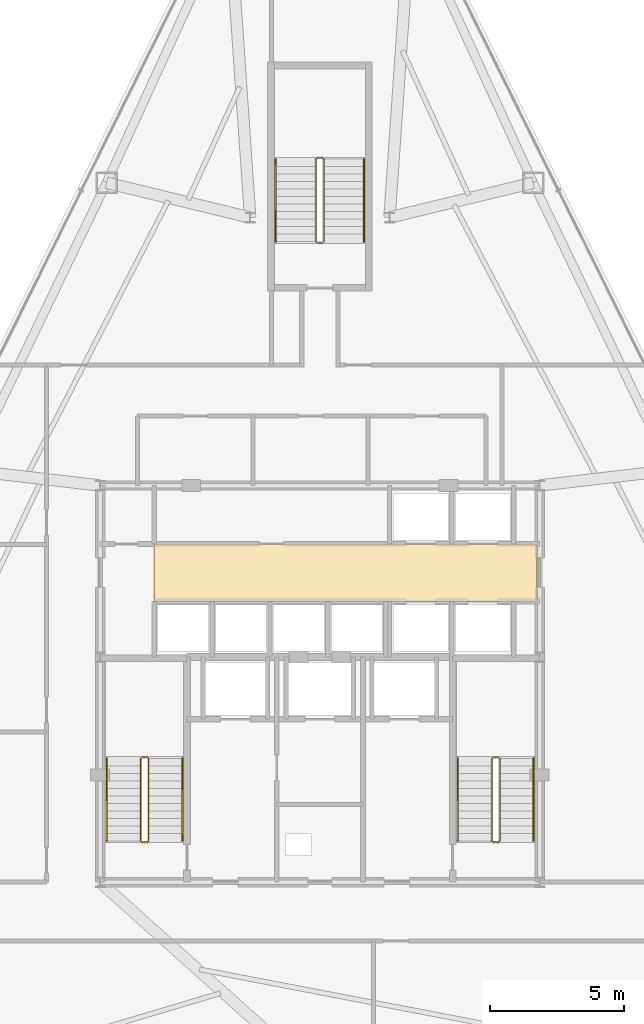
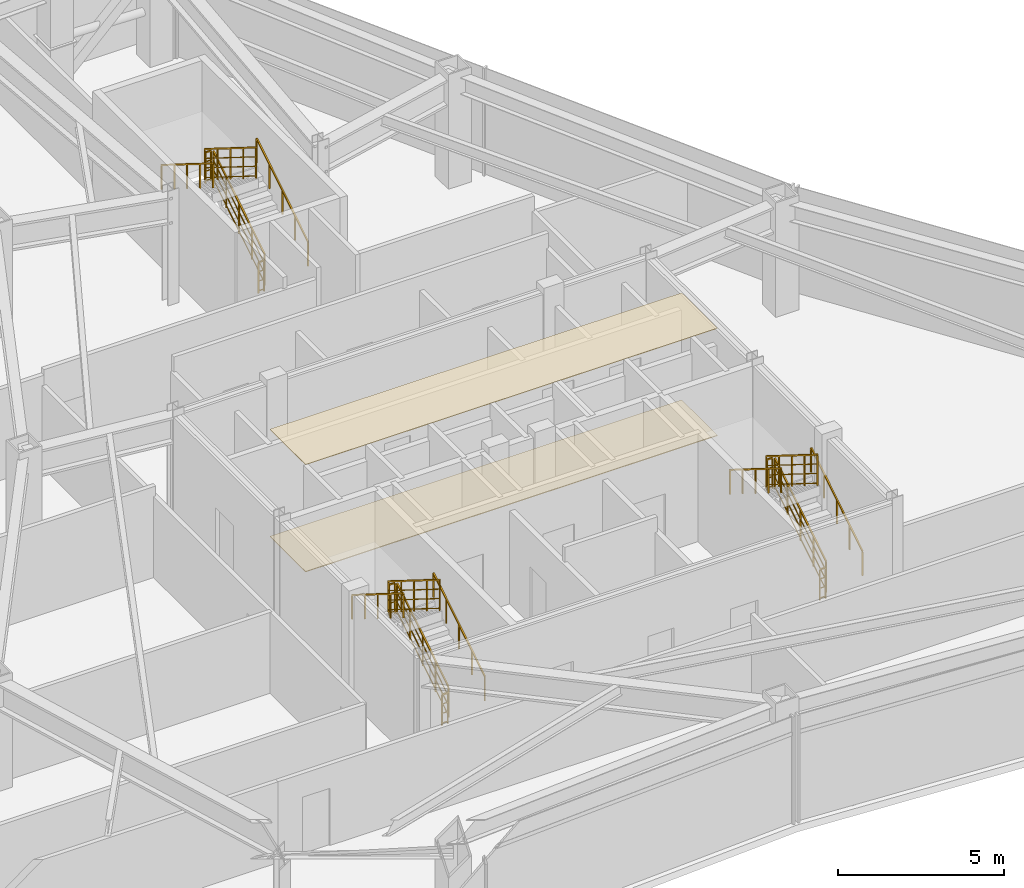
# One storey, part 13 of 13: 18 railings, 2 coverings.
"""IFC4 building model written with IfcOpenShell, lengths in metres."""

import ifcopenshell
import ifcopenshell.guid

model = None  # the IFC model being written
_history = None  # IfcOwnerHistory: only IFC2X3 demands one
_inside = {}  # id of a spatial element -> (the spatial element, [elements in it])
_under = {}  # id of a project, library or spatial element -> (it, [spatial elements below it])
_declared = {}  # id of a project -> (the project, [libraries it declares])
_typed = {}  # id of a type object -> (the type object, [elements of that type])
_made_of = {}  # id of a material, layer set ... -> (it, [elements and type objects made of it])


def new_model(schema):
    """Start an empty IFC model of exactly this schema.

    Asked for "IFC4X3", IfcOpenShell would pick the latest addendum, in which some entities
    have other attributes; the version numbers below select the first issue.
    IFC2X3 requires an IfcOwnerHistory on every rooted entity: one is made here for all.
    """
    global model, _history
    if schema == "IFC4X3":
        model = ifcopenshell.file(schema_version=(4, 3, 0, 0))
    else:
        model = ifcopenshell.file(schema=schema)
    _inside.clear()
    _under.clear()
    _declared.clear()
    _typed.clear()
    _made_of.clear()
    _history = None
    if model.schema == "IFC2X3":
        org = make("IfcOrganization", Name="unknown")
        user = make(
            "IfcPersonAndOrganization",
            ThePerson=make("IfcPerson", FamilyName="unknown"),
            TheOrganization=org,
        )
        app = make(
            "IfcApplication",
            ApplicationDeveloper=org,
            Version="unknown",
            ApplicationFullName="unknown",
            ApplicationIdentifier="unknown",
        )
        _history = make(
            "IfcOwnerHistory",
            OwningUser=user,
            OwningApplication=app,
            ChangeAction="ADDED",
            CreationDate=0,
        )
    return model


def make(cls, **values):
    """One entity of the class cls with the attributes given. An attribute that is None is left unset."""
    return model.create_entity(
        cls, **{name: value for name, value in values.items() if value is not None}
    )


def rooted(cls, **values):
    """An entity with a GlobalId (a new one), such as an element, a storey or a relation."""
    return make(cls, GlobalId=ifcopenshell.guid.new(), OwnerHistory=_history, **values)


def si_unit(unit_type, name, prefix=None):
    """IfcSIUnit, for example si_unit("LENGTHUNIT", "METRE", prefix="MILLI")."""
    return make("IfcSIUnit", UnitType=unit_type, Prefix=prefix, Name=name)


def assignment(units):
    """IfcUnitAssignment: the units of a project."""
    return None if units is None else make("IfcUnitAssignment", Units=units)


def point(xyz):
    """IfcCartesianPoint."""
    return None if xyz is None else make("IfcCartesianPoint", Coordinates=xyz)


def direction(xyz):
    """IfcDirection."""
    return None if xyz is None else make("IfcDirection", DirectionRatios=xyz)


def frame(location, z_axis=None, x_axis=None):
    """IfcAxis2Placement3D, a coordinate frame: its origin and axes. An axis left out is left unset."""
    return make(
        "IfcAxis2Placement3D",
        Location=point(location),
        Axis=direction(z_axis),
        RefDirection=direction(x_axis),
    )


def frame_2d(location, x_axis=None):
    """IfcAxis2Placement2D, a coordinate frame in the plane: its origin and x axis."""
    return make(
        "IfcAxis2Placement2D", Location=point(location), RefDirection=direction(x_axis)
    )


def origin():
    """The frame at (0, 0, 0) with its axes left unset."""
    return frame((0.0, 0.0, 0.0))


def origin_2d():
    """The frame at (0, 0) in the plane with its x axis left unset."""
    return frame_2d((0.0, 0.0))


def place(relative_to, where):
    """IfcLocalPlacement: puts the frame where relative to a parent placement (None: the world)."""
    return make(
        "IfcLocalPlacement", PlacementRelTo=relative_to, RelativePlacement=where
    )


def context(
    kind, dimensions, precision=None, world=None, true_north=None, identifier=None
):
    """IfcGeometricRepresentationContext, for example the 3D "Model" context."""
    return make(
        "IfcGeometricRepresentationContext",
        ContextIdentifier=identifier,
        ContextType=kind,
        CoordinateSpaceDimension=dimensions,
        Precision=precision,
        WorldCoordinateSystem=world,
        TrueNorth=true_north,
    )


def subcontext(parent, identifier, kind, view, scale=None):
    """IfcGeometricRepresentationSubContext, for example "Body" below "Model"."""
    return make(
        "IfcGeometricRepresentationSubContext",
        ContextIdentifier=identifier,
        ContextType=kind,
        ParentContext=parent,
        TargetScale=scale,
        TargetView=view,
    )


def project(units=None, contexts=None):
    """IfcProject with its units and contexts."""
    return rooted(
        "IfcProject",
        Name="project",
        RepresentationContexts=contexts,
        UnitsInContext=assignment(units),
    )


def spatial(cls, under=None, at=None, **own):
    """A site, building, storey or space (cls), placed at a placement, below another one or the project."""
    s = rooted(cls, ObjectPlacement=at, **own)
    if under is not None:
        _under.setdefault(under.id(), (under, []))[1].append(s)
    return s


def polyline(points):
    """IfcPolyline through the points."""
    return make("IfcPolyline", Points=[point(p) for p in points])


def profile(cls, at=None, kind="AREA", **sizes):
    """A parametric profile (cls). Its sizes go by their IFC names, for example OverallWidth=200.0."""
    return make(cls, ProfileType=kind, Position=at, **sizes)


def rectangle(**sizes):
    """IfcRectangleProfileDef."""
    return profile("IfcRectangleProfileDef", **sizes)


def outline(outer, holes=None, kind="AREA"):
    """IfcArbitraryClosedProfileDef: a profile drawn as a closed curve; with holes, ...WithVoids."""
    if holes is None:
        return make("IfcArbitraryClosedProfileDef", ProfileType=kind, OuterCurve=outer)
    return make(
        "IfcArbitraryProfileDefWithVoids",
        ProfileType=kind,
        OuterCurve=outer,
        InnerCurves=holes,
    )


def extrude(swept, where, along, depth):
    """IfcExtrudedAreaSolid: the profile swept, set in the frame where, extruded along a direction by depth."""
    return make(
        "IfcExtrudedAreaSolid",
        SweptArea=swept,
        Position=where,
        ExtrudedDirection=direction(along),
        Depth=depth,
    )


def shape(context_of_items, identifier, shape_type, items):
    """IfcShapeRepresentation: the items that make up one representation, for example the "Body"."""
    return make(
        "IfcShapeRepresentation",
        ContextOfItems=context_of_items,
        RepresentationIdentifier=identifier,
        RepresentationType=shape_type,
        Items=items,
    )


def material(Name=None, Category=None):
    """IfcMaterial."""
    return make("IfcMaterial", Name=Name, Category=Category)


def layer(
    of_material, thickness, ventilated=None, Name=None, Category=None, Priority=None
):
    """IfcMaterialLayer: one layer of a wall or slab, of a material (None: an air gap)."""
    return make(
        "IfcMaterialLayer",
        Material=of_material,
        LayerThickness=thickness,
        IsVentilated=ventilated,
        Name=Name,
        Category=Category,
        Priority=Priority,
    )


def layer_set(layers, Name=None):
    """IfcMaterialLayerSet."""
    return make("IfcMaterialLayerSet", MaterialLayers=layers, LayerSetName=Name)


def made_of(thing, what):
    """Note that an element or type object is made of a material, layer set ...; save() writes the relation."""
    if what is not None:
        _made_of.setdefault(what.id(), (what, []))[1].append(thing)
    return thing


def type_object(cls, material=None, **own):
    """A type object (cls), such as IfcWallType, which elements share."""
    return made_of(rooted(cls, **own), material)


def element(
    cls,
    number,
    at=None,
    inside=None,
    cuts=None,
    type_object=None,
    material=None,
    context=None,
    identifier="Body",
    shape_type=None,
    held_by="IfcProductDefinitionShape",
    body=None,
    shapes=None,
    **own,
):
    """One element of the class cls, such as IfcWall. Its Tag is "e" and its number.

    at: its placement. inside: the storey or other place that contains it. cuts: it is an
    opening in that element (IfcRelVoidsElement). A single representation is given by context,
    identifier, shape_type and body (its items); several are given by shapes. held_by: the class
    of the entity that holds the representations. save() writes the other relations.
    """
    e = rooted(cls, Tag="e%d" % number, ObjectPlacement=at, **own)
    if body is not None:
        shapes = [shape(context, identifier, shape_type, body)]
    if shapes is not None:
        e.Representation = make(held_by, Representations=shapes)
    if inside is not None:
        _inside.setdefault(inside.id(), (inside, []))[1].append(e)
    if cuts is not None:
        rooted(
            "IfcRelVoidsElement", RelatingBuildingElement=cuts, RelatedOpeningElement=e
        )
    if type_object is not None:
        _typed.setdefault(type_object.id(), (type_object, []))[1].append(e)
    return made_of(e, material)


def aggregate(whole, parts):
    """IfcRelAggregates: a whole, such as a stair, and the parts it consists of."""
    return rooted("IfcRelAggregates", RelatingObject=whole, RelatedObjects=parts)


def save(model, path):
    """Write the relations noted so far, then the file.

    IfcRelAggregates (storeys below a building ...), IfcRelContainedInSpatialStructure (elements
    in a storey), IfcRelDefinesByType, IfcRelAssociatesMaterial and IfcRelDeclares: one each for
    every whole, place, type object, material and project.
    """
    for whole, parts in _under.values():
        aggregate(whole, parts)
    for where, things in _inside.values():
        rooted(
            "IfcRelContainedInSpatialStructure",
            RelatedElements=things,
            RelatingStructure=where,
        )
    for kind, things in _typed.values():
        rooted("IfcRelDefinesByType", RelatedObjects=things, RelatingType=kind)
    for what, things in _made_of.values():
        rooted("IfcRelAssociatesMaterial", RelatedObjects=things, RelatingMaterial=what)
    for by, libraries in _declared.values():
        rooted("IfcRelDeclares", RelatingContext=by, RelatedDefinitions=libraries)
    model.write(path)


model = new_model("IFC4")

# Units and contexts
model_context = context("Model", 3, precision=1e-05, world=origin(), true_north=direction((0.0, 1.0)))
body_context = subcontext(model_context, "Body", "Model", "MODEL_VIEW")
ifc_project = project(units=[si_unit("LENGTHUNIT", "METRE"), si_unit("AREAUNIT", "SQUARE_METRE"), si_unit("VOLUMEUNIT", "CUBIC_METRE"), si_unit("PLANEANGLEUNIT", "RADIAN"), si_unit("MASSUNIT", "GRAM", prefix="KILO")], contexts=[model_context])

# Site, building, storey
site_placement = place(None, origin())
site = spatial("IfcSite", under=ifc_project, at=site_placement, CompositionType="ELEMENT")
building_placement = place(site_placement, origin())
building = spatial("IfcBuilding", under=site, at=building_placement, Name="Varakhsha Concourse Tower", CompositionType="ELEMENT")
storey_placement = place(building_placement, frame((0.0, 0.0, 200.699951171875)))
storey = spatial("IfcBuildingStorey", under=building, at=storey_placement, Name="L57", CompositionType="ELEMENT", Elevation=200.699951171875)

# Coverings
ifc_material_1 = material(Name="Mineral Fibre Acoustic Lay-In Ceiling Tile 20 mm", Category="mineral")
ifc_layer_1 = layer(ifc_material_1, 0.02001953125, Name="COV-CEIL-20")
ifc_layer_set_1 = layer_set([ifc_layer_1], Name="Mineral Fibre Acoustic Lay-In Ceiling Tile 20 mm")
covering_type_1 = type_object("IfcCoveringType", Name="COV-CEIL-20", PredefinedType="CEILING", material=ifc_layer_set_1)
covering_1_placement = place(storey_placement, frame((0.0, 0.0, 3.929931640625)))
element("IfcCovering", 1, at=covering_1_placement, inside=storey, type_object=covering_type_1, Name="L57 Lift Lobby Acoustic Ceiling", PredefinedType="CEILING", context=body_context, shape_type="SweptSolid", body=[
    extrude(outline(polyline([(33.820068359375, 26.8798828125), (48.10009765625, 26.8798828125), (48.10009765625, 29.02001953125), (33.820068359375, 29.02001953125), (33.820068359375, 26.8798828125)])), origin(), (0.0, 0.0, 1.0), 0.02001953125),
])
ifc_material_2 = material(Name="Polished Samarkand Aggregate Terrazzo Flooring 25 mm", Category="concrete")
ifc_layer_2 = layer(ifc_material_2, 0.02490234375, Name="COV-FLOOR-25")
ifc_layer_set_2 = layer_set([ifc_layer_2], Name="Polished Samarkand Aggregate Terrazzo Flooring 25 mm")
covering_type_2 = type_object("IfcCoveringType", Name="COV-FLOOR-25", PredefinedType="FLOORING", material=ifc_layer_set_2)
covering_2_placement = place(storey_placement, origin())
element("IfcCovering", 2, at=covering_2_placement, inside=storey, type_object=covering_type_2, Name="L57 Lift Lobby Terrazzo Flooring", PredefinedType="FLOORING", context=body_context, shape_type="SweptSolid", body=[
    extrude(outline(polyline([(33.820068359375, 26.8798828125), (48.10009765625, 26.8798828125), (48.10009765625, 29.02001953125), (33.820068359375, 29.02001953125), (33.820068359375, 26.8798828125)])), origin(), (0.0, 0.0, 1.0), 0.025146484375),
])

# Railings
ifc_material_3 = material(Name="Brushed Austenitic Stainless Steel AISI 316", Category="steel")
railing_type_1 = type_object("IfcRailingType", Name="RL-STAIR-GUARD-1100", PredefinedType="GUARDRAIL", material=ifc_material_3)
railing_1_placement = place(storey_placement, frame((33.610107421875, 17.93994140625, 0.175048828125)))
element("IfcRailing", 3, at=railing_1_placement, inside=storey, type_object=railing_type_1, Name="L57 ST1 stair guard 1", PredefinedType="GUARDRAIL", context=body_context, shape_type="SweptSolid", body=[
    extrude(rectangle(XDim=0.048095703125, YDim=0.048095703125, at=origin_2d()), frame((0.0, 0.0, 1.1259765625), z_axis=(0.0, 0.847998304005, 0.529998940003), x_axis=(-1.0, 0.0, 0.0)), (0.0, 0.0, 1.0), 3.632080078125),
    extrude(rectangle(XDim=0.028076171875, YDim=0.028076171875, at=origin_2d()), frame((0.0, 0.0, 0.080078125), z_axis=(0.0, 0.847998304005, 0.529998940003), x_axis=(-1.0, 0.0, 0.0)), (0.0, 0.0, 1.0), 3.632080078125),
    extrude(rectangle(XDim=0.028076171875, YDim=0.028076171875, at=origin_2d()), frame((0.0, 0.0, 0.43701171875), z_axis=(0.0, 0.847998304005, 0.529998940003), x_axis=(-1.0, 0.0, 0.0)), (0.0, 0.0, 1.0), 3.632080078125),
    extrude(rectangle(XDim=0.028076171875, YDim=0.028076171875, at=origin_2d()), frame((0.0, 0.0, 0.781982421875), z_axis=(0.0, 0.847998304005, 0.529998940003), x_axis=(-1.0, 0.0, 0.0)), (0.0, 0.0, 1.0), 3.632080078125),
    extrude(rectangle(XDim=0.0419921875, YDim=0.0419921875, at=origin_2d()), origin(), (0.0, 0.0, 1.0), 1.101806640625),
    extrude(rectangle(XDim=0.0419921875, YDim=0.0419921875, at=origin_2d()), frame((0.0, 0.77001953125, 0.481201171875)), (0.0, 0.0, 1.0), 1.101806640625),
    extrude(rectangle(XDim=0.0419921875, YDim=0.0419921875, at=origin_2d()), frame((0.0, 1.5400390625, 0.96240234375)), (0.0, 0.0, 1.0), 1.101806640625),
    extrude(rectangle(XDim=0.0419921875, YDim=0.0419921875, at=origin_2d()), frame((0.0, 2.31005859375, 1.44384765625)), (0.0, 0.0, 1.0), 1.101806640625),
    extrude(rectangle(XDim=0.0419921875, YDim=0.0419921875, at=origin_2d()), frame((0.0, 3.080078125, 1.925048828125)), (0.0, 0.0, 1.0), 1.101806640625),
])
railing_2_placement = place(storey_placement, frame((33.56005859375, 21.070068359375, 2.10009765625)))
element("IfcRailing", 4, at=railing_2_placement, inside=storey, type_object=railing_type_1, Name="L57 ST1 stair guard 2", PredefinedType="GUARDRAIL", context=body_context, shape_type="SweptSolid", body=[
    extrude(rectangle(XDim=0.048095703125, YDim=0.048095703125, at=origin_2d()), frame((0.0, 0.0, 1.1259765625), z_axis=(-1.0, 0.0, 0.0), x_axis=(0.0, -1.0, 0.0)), (0.0, 0.0, 1.0), 0.199951171875),
    extrude(rectangle(XDim=0.028076171875, YDim=0.028076171875, at=origin_2d()), frame((0.0, 0.0, 0.080078125), z_axis=(-1.0, 0.0, 0.0), x_axis=(0.0, -1.0, 0.0)), (0.0, 0.0, 1.0), 0.199951171875),
    extrude(rectangle(XDim=0.028076171875, YDim=0.028076171875, at=origin_2d()), frame((0.0, 0.0, 0.43701171875), z_axis=(-1.0, 0.0, 0.0), x_axis=(0.0, -1.0, 0.0)), (0.0, 0.0, 1.0), 0.199951171875),
    extrude(rectangle(XDim=0.028076171875, YDim=0.028076171875, at=origin_2d()), frame((0.0, 0.0, 0.781982421875), z_axis=(-1.0, 0.0, 0.0), x_axis=(0.0, -1.0, 0.0)), (0.0, 0.0, 1.0), 0.199951171875),
    extrude(rectangle(XDim=0.0419921875, YDim=0.0419921875, at=origin_2d()), origin(), (0.0, 0.0, 1.0), 1.101806640625),
    extrude(rectangle(XDim=0.0419921875, YDim=0.0419921875, at=origin_2d()), frame((-0.199951171875, 0.0, 0.0)), (0.0, 0.0, 1.0), 1.101806640625),
])
railing_3_placement = place(storey_placement, frame((33.31005859375, 21.02001953125, 2.275146484375)))
element("IfcRailing", 5, at=railing_3_placement, inside=storey, type_object=railing_type_1, Name="L57 ST1 stair guard 3", PredefinedType="GUARDRAIL", context=body_context, shape_type="SweptSolid", body=[
    extrude(rectangle(XDim=0.048095703125, YDim=0.048095703125, at=origin_2d()), frame((0.0, 0.0, 1.1259765625), z_axis=(0.0, -0.848028513186, 0.529950602248), x_axis=(1.0, 0.0, 0.0)), (0.0, 0.0, 1.0), 3.632080078125),
    extrude(rectangle(XDim=0.028076171875, YDim=0.028076171875, at=origin_2d()), frame((0.0, 0.0, 0.080078125), z_axis=(0.0, -0.848028513186, 0.529950602248), x_axis=(1.0, 0.0, 0.0)), (0.0, 0.0, 1.0), 3.632080078125),
    extrude(rectangle(XDim=0.028076171875, YDim=0.028076171875, at=origin_2d()), frame((0.0, 0.0, 0.43701171875), z_axis=(0.0, -0.848028513186, 0.529950602248), x_axis=(1.0, 0.0, 0.0)), (0.0, 0.0, 1.0), 3.632080078125),
    extrude(rectangle(XDim=0.028076171875, YDim=0.028076171875, at=origin_2d()), frame((0.0, 0.0, 0.781982421875), z_axis=(0.0, -0.848028513186, 0.529950602248), x_axis=(1.0, 0.0, 0.0)), (0.0, 0.0, 1.0), 3.632080078125),
    extrude(rectangle(XDim=0.0419921875, YDim=0.0419921875, at=origin_2d()), origin(), (0.0, 0.0, 1.0), 1.101806640625),
    extrude(rectangle(XDim=0.0419921875, YDim=0.0419921875, at=origin_2d()), frame((0.0, -0.77001953125, 0.481201171875)), (0.0, 0.0, 1.0), 1.101806640625),
    extrude(rectangle(XDim=0.0419921875, YDim=0.0419921875, at=origin_2d()), frame((0.0, -1.5400390625, 0.96240234375)), (0.0, 0.0, 1.0), 1.101806640625),
    extrude(rectangle(XDim=0.0419921875, YDim=0.0419921875, at=origin_2d()), frame((0.0, -2.31005859375, 1.443603515625)), (0.0, 0.0, 1.0), 1.101806640625),
    extrude(rectangle(XDim=0.0419921875, YDim=0.0419921875, at=origin_2d()), frame((0.0, -3.080078125, 1.9248046875)), (0.0, 0.0, 1.0), 1.101806640625),
])
railing_4_placement = place(storey_placement, frame((33.56005859375, 17.889892578125, 0.0)))
element("IfcRailing", 6, at=railing_4_placement, inside=storey, type_object=railing_type_1, Name="L57 ST1 stair guard 4", PredefinedType="GUARDRAIL", context=body_context, shape_type="SweptSolid", body=[
    extrude(rectangle(XDim=0.048095703125, YDim=0.048095703125, at=origin_2d()), frame((0.0, 0.0, 1.1259765625), z_axis=(-1.0, 0.0, 0.0), x_axis=(0.0, -1.0, 0.0)), (0.0, 0.0, 1.0), 0.199951171875),
    extrude(rectangle(XDim=0.028076171875, YDim=0.028076171875, at=origin_2d()), frame((0.0, 0.0, 0.080078125), z_axis=(-1.0, 0.0, 0.0), x_axis=(0.0, -1.0, 0.0)), (0.0, 0.0, 1.0), 0.199951171875),
    extrude(rectangle(XDim=0.028076171875, YDim=0.028076171875, at=origin_2d()), frame((0.0, 0.0, 0.43701171875), z_axis=(-1.0, 0.0, 0.0), x_axis=(0.0, -1.0, 0.0)), (0.0, 0.0, 1.0), 0.199951171875),
    extrude(rectangle(XDim=0.028076171875, YDim=0.028076171875, at=origin_2d()), frame((0.0, 0.0, 0.781982421875), z_axis=(-1.0, 0.0, 0.0), x_axis=(0.0, -1.0, 0.0)), (0.0, 0.0, 1.0), 0.199951171875),
    extrude(rectangle(XDim=0.0419921875, YDim=0.0419921875, at=origin_2d()), origin(), (0.0, 0.0, 1.0), 1.101806640625),
    extrude(rectangle(XDim=0.0419921875, YDim=0.0419921875, at=origin_2d()), frame((-0.199951171875, 0.0, 0.0)), (0.0, 0.0, 1.0), 1.101806640625),
])
railing_5_placement = place(storey_placement, frame((46.7099609375, 17.93994140625, 0.175048828125)))
element("IfcRailing", 7, at=railing_5_placement, inside=storey, type_object=railing_type_1, Name="L57 ST2 stair guard 1", PredefinedType="GUARDRAIL", context=body_context, shape_type="SweptSolid", body=[
    extrude(rectangle(XDim=0.048095703125, YDim=0.048095703125, at=origin_2d()), frame((0.0, 0.0, 1.1259765625), z_axis=(0.0, 0.847998304005, 0.529998940003), x_axis=(-1.0, 0.0, 0.0)), (0.0, 0.0, 1.0), 3.632080078125),
    extrude(rectangle(XDim=0.028076171875, YDim=0.028076171875, at=origin_2d()), frame((0.0, 0.0, 0.080078125), z_axis=(0.0, 0.847998304005, 0.529998940003), x_axis=(-1.0, 0.0, 0.0)), (0.0, 0.0, 1.0), 3.632080078125),
    extrude(rectangle(XDim=0.028076171875, YDim=0.028076171875, at=origin_2d()), frame((0.0, 0.0, 0.43701171875), z_axis=(0.0, 0.847998304005, 0.529998940003), x_axis=(-1.0, 0.0, 0.0)), (0.0, 0.0, 1.0), 3.632080078125),
    extrude(rectangle(XDim=0.028076171875, YDim=0.028076171875, at=origin_2d()), frame((0.0, 0.0, 0.781982421875), z_axis=(0.0, 0.847998304005, 0.529998940003), x_axis=(-1.0, 0.0, 0.0)), (0.0, 0.0, 1.0), 3.632080078125),
    extrude(rectangle(XDim=0.0419921875, YDim=0.0419921875, at=origin_2d()), origin(), (0.0, 0.0, 1.0), 1.101806640625),
    extrude(rectangle(XDim=0.0419921875, YDim=0.0419921875, at=origin_2d()), frame((0.0, 0.77001953125, 0.481201171875)), (0.0, 0.0, 1.0), 1.101806640625),
    extrude(rectangle(XDim=0.0419921875, YDim=0.0419921875, at=origin_2d()), frame((0.0, 1.5400390625, 0.96240234375)), (0.0, 0.0, 1.0), 1.101806640625),
    extrude(rectangle(XDim=0.0419921875, YDim=0.0419921875, at=origin_2d()), frame((0.0, 2.31005859375, 1.44384765625)), (0.0, 0.0, 1.0), 1.101806640625),
    extrude(rectangle(XDim=0.0419921875, YDim=0.0419921875, at=origin_2d()), frame((0.0, 3.080078125, 1.925048828125)), (0.0, 0.0, 1.0), 1.101806640625),
])
railing_6_placement = place(storey_placement, frame((46.659912109375, 21.070068359375, 2.10009765625)))
element("IfcRailing", 8, at=railing_6_placement, inside=storey, type_object=railing_type_1, Name="L57 ST2 stair guard 2", PredefinedType="GUARDRAIL", context=body_context, shape_type="SweptSolid", body=[
    extrude(rectangle(XDim=0.048095703125, YDim=0.048095703125, at=origin_2d()), frame((0.0, 0.0, 1.1259765625), z_axis=(-1.0, 0.0, 0.0), x_axis=(0.0, -1.0, 0.0)), (0.0, 0.0, 1.0), 0.199951171875),
    extrude(rectangle(XDim=0.028076171875, YDim=0.028076171875, at=origin_2d()), frame((0.0, 0.0, 0.080078125), z_axis=(-1.0, 0.0, 0.0), x_axis=(0.0, -1.0, 0.0)), (0.0, 0.0, 1.0), 0.199951171875),
    extrude(rectangle(XDim=0.028076171875, YDim=0.028076171875, at=origin_2d()), frame((0.0, 0.0, 0.43701171875), z_axis=(-1.0, 0.0, 0.0), x_axis=(0.0, -1.0, 0.0)), (0.0, 0.0, 1.0), 0.199951171875),
    extrude(rectangle(XDim=0.028076171875, YDim=0.028076171875, at=origin_2d()), frame((0.0, 0.0, 0.781982421875), z_axis=(-1.0, 0.0, 0.0), x_axis=(0.0, -1.0, 0.0)), (0.0, 0.0, 1.0), 0.199951171875),
    extrude(rectangle(XDim=0.0419921875, YDim=0.0419921875, at=origin_2d()), origin(), (0.0, 0.0, 1.0), 1.101806640625),
    extrude(rectangle(XDim=0.0419921875, YDim=0.0419921875, at=origin_2d()), frame((-0.199951171875, 0.0, 0.0)), (0.0, 0.0, 1.0), 1.101806640625),
])
railing_7_placement = place(storey_placement, frame((46.409912109375, 21.02001953125, 2.275146484375)))
element("IfcRailing", 9, at=railing_7_placement, inside=storey, type_object=railing_type_1, Name="L57 ST2 stair guard 3", PredefinedType="GUARDRAIL", context=body_context, shape_type="SweptSolid", body=[
    extrude(rectangle(XDim=0.048095703125, YDim=0.048095703125, at=origin_2d()), frame((0.0, 0.0, 1.1259765625), z_axis=(0.0, -0.848028513186, 0.529950602248), x_axis=(1.0, 0.0, 0.0)), (0.0, 0.0, 1.0), 3.632080078125),
    extrude(rectangle(XDim=0.028076171875, YDim=0.028076171875, at=origin_2d()), frame((0.0, 0.0, 0.080078125), z_axis=(0.0, -0.848028513186, 0.529950602248), x_axis=(1.0, 0.0, 0.0)), (0.0, 0.0, 1.0), 3.632080078125),
    extrude(rectangle(XDim=0.028076171875, YDim=0.028076171875, at=origin_2d()), frame((0.0, 0.0, 0.43701171875), z_axis=(0.0, -0.848028513186, 0.529950602248), x_axis=(1.0, 0.0, 0.0)), (0.0, 0.0, 1.0), 3.632080078125),
    extrude(rectangle(XDim=0.028076171875, YDim=0.028076171875, at=origin_2d()), frame((0.0, 0.0, 0.781982421875), z_axis=(0.0, -0.848028513186, 0.529950602248), x_axis=(1.0, 0.0, 0.0)), (0.0, 0.0, 1.0), 3.632080078125),
    extrude(rectangle(XDim=0.0419921875, YDim=0.0419921875, at=origin_2d()), origin(), (0.0, 0.0, 1.0), 1.101806640625),
    extrude(rectangle(XDim=0.0419921875, YDim=0.0419921875, at=origin_2d()), frame((0.0, -0.77001953125, 0.481201171875)), (0.0, 0.0, 1.0), 1.101806640625),
    extrude(rectangle(XDim=0.0419921875, YDim=0.0419921875, at=origin_2d()), frame((0.0, -1.5400390625, 0.96240234375)), (0.0, 0.0, 1.0), 1.101806640625),
    extrude(rectangle(XDim=0.0419921875, YDim=0.0419921875, at=origin_2d()), frame((0.0, -2.31005859375, 1.443603515625)), (0.0, 0.0, 1.0), 1.101806640625),
    extrude(rectangle(XDim=0.0419921875, YDim=0.0419921875, at=origin_2d()), frame((0.0, -3.080078125, 1.9248046875)), (0.0, 0.0, 1.0), 1.101806640625),
])
railing_8_placement = place(storey_placement, frame((46.659912109375, 17.889892578125, 0.0)))
element("IfcRailing", 10, at=railing_8_placement, inside=storey, type_object=railing_type_1, Name="L57 ST2 stair guard 4", PredefinedType="GUARDRAIL", context=body_context, shape_type="SweptSolid", body=[
    extrude(rectangle(XDim=0.048095703125, YDim=0.048095703125, at=origin_2d()), frame((0.0, 0.0, 1.1259765625), z_axis=(-1.0, 0.0, 0.0), x_axis=(0.0, -1.0, 0.0)), (0.0, 0.0, 1.0), 0.199951171875),
    extrude(rectangle(XDim=0.028076171875, YDim=0.028076171875, at=origin_2d()), frame((0.0, 0.0, 0.080078125), z_axis=(-1.0, 0.0, 0.0), x_axis=(0.0, -1.0, 0.0)), (0.0, 0.0, 1.0), 0.199951171875),
    extrude(rectangle(XDim=0.028076171875, YDim=0.028076171875, at=origin_2d()), frame((0.0, 0.0, 0.43701171875), z_axis=(-1.0, 0.0, 0.0), x_axis=(0.0, -1.0, 0.0)), (0.0, 0.0, 1.0), 0.199951171875),
    extrude(rectangle(XDim=0.028076171875, YDim=0.028076171875, at=origin_2d()), frame((0.0, 0.0, 0.781982421875), z_axis=(-1.0, 0.0, 0.0), x_axis=(0.0, -1.0, 0.0)), (0.0, 0.0, 1.0), 0.199951171875),
    extrude(rectangle(XDim=0.0419921875, YDim=0.0419921875, at=origin_2d()), origin(), (0.0, 0.0, 1.0), 1.101806640625),
    extrude(rectangle(XDim=0.0419921875, YDim=0.0419921875, at=origin_2d()), frame((-0.199951171875, 0.0, 0.0)), (0.0, 0.0, 1.0), 1.101806640625),
])
railing_9_placement = place(storey_placement, frame((40.14990234375, 40.300048828125, 0.175048828125)))
element("IfcRailing", 11, at=railing_9_placement, inside=storey, type_object=railing_type_1, Name="L57 ST5 stair guard 1", PredefinedType="GUARDRAIL", context=body_context, shape_type="SweptSolid", body=[
    extrude(rectangle(XDim=0.048095703125, YDim=0.048095703125, at=origin_2d()), frame((0.0, 0.0, 1.1259765625), z_axis=(0.0, 0.847979421464, 0.530029150871), x_axis=(-1.0, 0.0, 0.0)), (0.0, 0.0, 1.0), 3.632080078125),
    extrude(rectangle(XDim=0.028076171875, YDim=0.028076171875, at=origin_2d()), frame((0.0, 0.0, 0.080078125), z_axis=(0.0, 0.847979421464, 0.530029150871), x_axis=(-1.0, 0.0, 0.0)), (0.0, 0.0, 1.0), 3.632080078125),
    extrude(rectangle(XDim=0.028076171875, YDim=0.028076171875, at=origin_2d()), frame((0.0, 0.0, 0.43701171875), z_axis=(0.0, 0.847979421464, 0.530029150871), x_axis=(-1.0, 0.0, 0.0)), (0.0, 0.0, 1.0), 3.632080078125),
    extrude(rectangle(XDim=0.028076171875, YDim=0.028076171875, at=origin_2d()), frame((0.0, 0.0, 0.781982421875), z_axis=(0.0, 0.847979421464, 0.530029150871), x_axis=(-1.0, 0.0, 0.0)), (0.0, 0.0, 1.0), 3.632080078125),
    extrude(rectangle(XDim=0.0419921875, YDim=0.0419921875, at=origin_2d()), origin(), (0.0, 0.0, 1.0), 1.101806640625),
    extrude(rectangle(XDim=0.0419921875, YDim=0.0419921875, at=origin_2d()), frame((0.0, 0.77001953125, 0.481201171875)), (0.0, 0.0, 1.0), 1.101806640625),
    extrude(rectangle(XDim=0.0419921875, YDim=0.0419921875, at=origin_2d()), frame((0.0, 1.5400390625, 0.96240234375)), (0.0, 0.0, 1.0), 1.101806640625),
    extrude(rectangle(XDim=0.0419921875, YDim=0.0419921875, at=origin_2d()), frame((0.0, 2.309814453125, 1.44384765625)), (0.0, 0.0, 1.0), 1.101806640625),
    extrude(rectangle(XDim=0.0419921875, YDim=0.0419921875, at=origin_2d()), frame((0.0, 3.079833984375, 1.925048828125)), (0.0, 0.0, 1.0), 1.101806640625),
])
railing_10_placement = place(storey_placement, frame((40.10009765625, 43.429931640625, 2.10009765625)))
element("IfcRailing", 12, at=railing_10_placement, inside=storey, type_object=railing_type_1, Name="L57 ST5 stair guard 2", PredefinedType="GUARDRAIL", context=body_context, shape_type="SweptSolid", body=[
    extrude(rectangle(XDim=0.048095703125, YDim=0.048095703125, at=origin_2d()), frame((0.0, 0.0, 1.1259765625), z_axis=(-1.0, 0.0, 0.0), x_axis=(0.0, -1.0, 0.0)), (0.0, 0.0, 1.0), 0.2001953125),
    extrude(rectangle(XDim=0.028076171875, YDim=0.028076171875, at=origin_2d()), frame((0.0, 0.0, 0.080078125), z_axis=(-1.0, 0.0, 0.0), x_axis=(0.0, -1.0, 0.0)), (0.0, 0.0, 1.0), 0.2001953125),
    extrude(rectangle(XDim=0.028076171875, YDim=0.028076171875, at=origin_2d()), frame((0.0, 0.0, 0.43701171875), z_axis=(-1.0, 0.0, 0.0), x_axis=(0.0, -1.0, 0.0)), (0.0, 0.0, 1.0), 0.2001953125),
    extrude(rectangle(XDim=0.028076171875, YDim=0.028076171875, at=origin_2d()), frame((0.0, 0.0, 0.781982421875), z_axis=(-1.0, 0.0, 0.0), x_axis=(0.0, -1.0, 0.0)), (0.0, 0.0, 1.0), 0.2001953125),
    extrude(rectangle(XDim=0.0419921875, YDim=0.0419921875, at=origin_2d()), origin(), (0.0, 0.0, 1.0), 1.101806640625),
    extrude(rectangle(XDim=0.0419921875, YDim=0.0419921875, at=origin_2d()), frame((-0.2001953125, 0.0, 0.0)), (0.0, 0.0, 1.0), 1.101806640625),
])
railing_11_placement = place(storey_placement, frame((39.85009765625, 43.3798828125, 2.275146484375)))
element("IfcRailing", 13, at=railing_11_placement, inside=storey, type_object=railing_type_1, Name="L57 ST5 stair guard 3", PredefinedType="GUARDRAIL", context=body_context, shape_type="SweptSolid", body=[
    extrude(rectangle(XDim=0.048095703125, YDim=0.048095703125, at=origin_2d()), frame((0.0, 0.0, 1.1259765625), z_axis=(0.0, -0.848009633417, 0.529980812513), x_axis=(1.0, 0.0, 0.0)), (0.0, 0.0, 1.0), 3.6318359375),
    extrude(rectangle(XDim=0.028076171875, YDim=0.028076171875, at=origin_2d()), frame((0.0, 0.0, 0.080078125), z_axis=(0.0, -0.848009633417, 0.529980812513), x_axis=(1.0, 0.0, 0.0)), (0.0, 0.0, 1.0), 3.6318359375),
    extrude(rectangle(XDim=0.028076171875, YDim=0.028076171875, at=origin_2d()), frame((0.0, 0.0, 0.43701171875), z_axis=(0.0, -0.848009633417, 0.529980812513), x_axis=(1.0, 0.0, 0.0)), (0.0, 0.0, 1.0), 3.6318359375),
    extrude(rectangle(XDim=0.028076171875, YDim=0.028076171875, at=origin_2d()), frame((0.0, 0.0, 0.781982421875), z_axis=(0.0, -0.848009633417, 0.529980812513), x_axis=(1.0, 0.0, 0.0)), (0.0, 0.0, 1.0), 3.6318359375),
    extrude(rectangle(XDim=0.0419921875, YDim=0.0419921875, at=origin_2d()), origin(), (0.0, 0.0, 1.0), 1.101806640625),
    extrude(rectangle(XDim=0.0419921875, YDim=0.0419921875, at=origin_2d()), frame((0.0, -0.77001953125, 0.481201171875)), (0.0, 0.0, 1.0), 1.101806640625),
    extrude(rectangle(XDim=0.0419921875, YDim=0.0419921875, at=origin_2d()), frame((0.0, -1.5400390625, 0.96240234375)), (0.0, 0.0, 1.0), 1.101806640625),
    extrude(rectangle(XDim=0.0419921875, YDim=0.0419921875, at=origin_2d()), frame((0.0, -2.309814453125, 1.443603515625)), (0.0, 0.0, 1.0), 1.101806640625),
    extrude(rectangle(XDim=0.0419921875, YDim=0.0419921875, at=origin_2d()), frame((0.0, -3.079833984375, 1.9248046875)), (0.0, 0.0, 1.0), 1.101806640625),
])
railing_12_placement = place(storey_placement, frame((40.10009765625, 40.25, 0.0)))
element("IfcRailing", 14, at=railing_12_placement, inside=storey, type_object=railing_type_1, Name="L57 ST5 stair guard 4", PredefinedType="GUARDRAIL", context=body_context, shape_type="SweptSolid", body=[
    extrude(rectangle(XDim=0.048095703125, YDim=0.048095703125, at=origin_2d()), frame((0.0, 0.0, 1.1259765625), z_axis=(-1.0, 0.0, 0.0), x_axis=(0.0, -1.0, 0.0)), (0.0, 0.0, 1.0), 0.2001953125),
    extrude(rectangle(XDim=0.028076171875, YDim=0.028076171875, at=origin_2d()), frame((0.0, 0.0, 0.080078125), z_axis=(-1.0, 0.0, 0.0), x_axis=(0.0, -1.0, 0.0)), (0.0, 0.0, 1.0), 0.2001953125),
    extrude(rectangle(XDim=0.028076171875, YDim=0.028076171875, at=origin_2d()), frame((0.0, 0.0, 0.43701171875), z_axis=(-1.0, 0.0, 0.0), x_axis=(0.0, -1.0, 0.0)), (0.0, 0.0, 1.0), 0.2001953125),
    extrude(rectangle(XDim=0.028076171875, YDim=0.028076171875, at=origin_2d()), frame((0.0, 0.0, 0.781982421875), z_axis=(-1.0, 0.0, 0.0), x_axis=(0.0, -1.0, 0.0)), (0.0, 0.0, 1.0), 0.2001953125),
    extrude(rectangle(XDim=0.0419921875, YDim=0.0419921875, at=origin_2d()), origin(), (0.0, 0.0, 1.0), 1.101806640625),
    extrude(rectangle(XDim=0.0419921875, YDim=0.0419921875, at=origin_2d()), frame((-0.2001953125, 0.0, 0.0)), (0.0, 0.0, 1.0), 1.101806640625),
])
railing_type_2 = type_object("IfcRailingType", Name="RL-STAIR-RAIL-915", PredefinedType="HANDRAIL", material=ifc_material_3)
railing_13_placement = place(storey_placement, frame((34.8701171875, 17.93994140625, 0.35009765625)))
element("IfcRailing", 15, at=railing_13_placement, inside=storey, type_object=railing_type_2, Name="L57 ST1 stair handrail 1", PredefinedType="HANDRAIL", context=body_context, shape_type="SweptSolid", body=[
    extrude(rectangle(XDim=0.048095703125, YDim=0.048095703125, at=origin_2d()), frame((0.0, 0.0, 0.89111328125), z_axis=(0.0, 0.847998304005, 0.529998940003), x_axis=(-1.0, 0.0, 0.0)), (0.0, 0.0, 1.0), 3.632080078125),
    extrude(rectangle(XDim=0.0419921875, YDim=0.0419921875, at=origin_2d()), origin(), (0.0, 0.0, 1.0), 0.866943359375),
    extrude(rectangle(XDim=0.0419921875, YDim=0.0419921875, at=origin_2d()), frame((0.0, 0.77001953125, 0.481201171875)), (0.0, 0.0, 1.0), 0.866943359375),
    extrude(rectangle(XDim=0.0419921875, YDim=0.0419921875, at=origin_2d()), frame((0.0, 1.5400390625, 0.96240234375)), (0.0, 0.0, 1.0), 0.866943359375),
    extrude(rectangle(XDim=0.0419921875, YDim=0.0419921875, at=origin_2d()), frame((0.0, 2.31005859375, 1.44384765625)), (0.0, 0.0, 1.0), 0.866943359375),
    extrude(rectangle(XDim=0.0419921875, YDim=0.0419921875, at=origin_2d()), frame((0.0, 3.080078125, 1.925048828125)), (0.0, 0.0, 1.0), 0.866943359375),
])
railing_14_placement = place(storey_placement, frame((32.050048828125, 21.02001953125, 2.449951171875)))
element("IfcRailing", 16, at=railing_14_placement, inside=storey, type_object=railing_type_2, Name="L57 ST1 stair handrail 2", PredefinedType="HANDRAIL", context=body_context, shape_type="SweptSolid", body=[
    extrude(rectangle(XDim=0.048095703125, YDim=0.048095703125, at=origin_2d()), frame((0.0, 0.0, 0.89111328125), z_axis=(0.0, -0.847998304005, 0.529998940003), x_axis=(1.0, 0.0, 0.0)), (0.0, 0.0, 1.0), 3.632080078125),
    extrude(rectangle(XDim=0.0419921875, YDim=0.0419921875, at=origin_2d()), origin(), (0.0, 0.0, 1.0), 0.866943359375),
    extrude(rectangle(XDim=0.0419921875, YDim=0.0419921875, at=origin_2d()), frame((0.0, -0.77001953125, 0.481201171875)), (0.0, 0.0, 1.0), 0.866943359375),
    extrude(rectangle(XDim=0.0419921875, YDim=0.0419921875, at=origin_2d()), frame((0.0, -1.5400390625, 0.96240234375)), (0.0, 0.0, 1.0), 0.866943359375),
    extrude(rectangle(XDim=0.0419921875, YDim=0.0419921875, at=origin_2d()), frame((0.0, -2.31005859375, 1.44384765625)), (0.0, 0.0, 1.0), 0.866943359375),
    extrude(rectangle(XDim=0.0419921875, YDim=0.0419921875, at=origin_2d()), frame((0.0, -3.080078125, 1.925048828125)), (0.0, 0.0, 1.0), 0.866943359375),
])
railing_15_placement = place(storey_placement, frame((47.969970703125, 17.93994140625, 0.35009765625)))
element("IfcRailing", 17, at=railing_15_placement, inside=storey, type_object=railing_type_2, Name="L57 ST2 stair handrail 1", PredefinedType="HANDRAIL", context=body_context, shape_type="SweptSolid", body=[
    extrude(rectangle(XDim=0.048095703125, YDim=0.048095703125, at=origin_2d()), frame((0.0, 0.0, 0.89111328125), z_axis=(0.0, 0.847998304005, 0.529998940003), x_axis=(-1.0, 0.0, 0.0)), (0.0, 0.0, 1.0), 3.632080078125),
    extrude(rectangle(XDim=0.0419921875, YDim=0.0419921875, at=origin_2d()), origin(), (0.0, 0.0, 1.0), 0.866943359375),
    extrude(rectangle(XDim=0.0419921875, YDim=0.0419921875, at=origin_2d()), frame((0.0, 0.77001953125, 0.481201171875)), (0.0, 0.0, 1.0), 0.866943359375),
    extrude(rectangle(XDim=0.0419921875, YDim=0.0419921875, at=origin_2d()), frame((0.0, 1.5400390625, 0.96240234375)), (0.0, 0.0, 1.0), 0.866943359375),
    extrude(rectangle(XDim=0.0419921875, YDim=0.0419921875, at=origin_2d()), frame((0.0, 2.31005859375, 1.44384765625)), (0.0, 0.0, 1.0), 0.866943359375),
    extrude(rectangle(XDim=0.0419921875, YDim=0.0419921875, at=origin_2d()), frame((0.0, 3.080078125, 1.925048828125)), (0.0, 0.0, 1.0), 0.866943359375),
])
railing_16_placement = place(storey_placement, frame((45.14990234375, 21.02001953125, 2.449951171875)))
element("IfcRailing", 18, at=railing_16_placement, inside=storey, type_object=railing_type_2, Name="L57 ST2 stair handrail 2", PredefinedType="HANDRAIL", context=body_context, shape_type="SweptSolid", body=[
    extrude(rectangle(XDim=0.048095703125, YDim=0.048095703125, at=origin_2d()), frame((0.0, 0.0, 0.89111328125), z_axis=(0.0, -0.847998304005, 0.529998940003), x_axis=(1.0, 0.0, 0.0)), (0.0, 0.0, 1.0), 3.632080078125),
    extrude(rectangle(XDim=0.0419921875, YDim=0.0419921875, at=origin_2d()), origin(), (0.0, 0.0, 1.0), 0.866943359375),
    extrude(rectangle(XDim=0.0419921875, YDim=0.0419921875, at=origin_2d()), frame((0.0, -0.77001953125, 0.481201171875)), (0.0, 0.0, 1.0), 0.866943359375),
    extrude(rectangle(XDim=0.0419921875, YDim=0.0419921875, at=origin_2d()), frame((0.0, -1.5400390625, 0.96240234375)), (0.0, 0.0, 1.0), 0.866943359375),
    extrude(rectangle(XDim=0.0419921875, YDim=0.0419921875, at=origin_2d()), frame((0.0, -2.31005859375, 1.44384765625)), (0.0, 0.0, 1.0), 0.866943359375),
    extrude(rectangle(XDim=0.0419921875, YDim=0.0419921875, at=origin_2d()), frame((0.0, -3.080078125, 1.925048828125)), (0.0, 0.0, 1.0), 0.866943359375),
])
railing_17_placement = place(storey_placement, frame((41.64990234375, 40.300048828125, 0.35009765625)))
element("IfcRailing", 19, at=railing_17_placement, inside=storey, type_object=railing_type_2, Name="L57 ST5 stair handrail 1", PredefinedType="HANDRAIL", context=body_context, shape_type="SweptSolid", body=[
    extrude(rectangle(XDim=0.048095703125, YDim=0.048095703125, at=origin_2d()), frame((0.0, 0.0, 0.89111328125), z_axis=(0.0, 0.847979421464, 0.530029150871), x_axis=(-1.0, 0.0, 0.0)), (0.0, 0.0, 1.0), 3.632080078125),
    extrude(rectangle(XDim=0.0419921875, YDim=0.0419921875, at=origin_2d()), origin(), (0.0, 0.0, 1.0), 0.866943359375),
    extrude(rectangle(XDim=0.0419921875, YDim=0.0419921875, at=origin_2d()), frame((0.0, 0.77001953125, 0.481201171875)), (0.0, 0.0, 1.0), 0.866943359375),
    extrude(rectangle(XDim=0.0419921875, YDim=0.0419921875, at=origin_2d()), frame((0.0, 1.5400390625, 0.96240234375)), (0.0, 0.0, 1.0), 0.866943359375),
    extrude(rectangle(XDim=0.0419921875, YDim=0.0419921875, at=origin_2d()), frame((0.0, 2.309814453125, 1.44384765625)), (0.0, 0.0, 1.0), 0.866943359375),
    extrude(rectangle(XDim=0.0419921875, YDim=0.0419921875, at=origin_2d()), frame((0.0, 3.079833984375, 1.925048828125)), (0.0, 0.0, 1.0), 0.866943359375),
])
railing_18_placement = place(storey_placement, frame((38.35009765625, 43.3798828125, 2.449951171875)))
element("IfcRailing", 20, at=railing_18_placement, inside=storey, type_object=railing_type_2, Name="L57 ST5 stair handrail 2", PredefinedType="HANDRAIL", context=body_context, shape_type="SweptSolid", body=[
    extrude(rectangle(XDim=0.048095703125, YDim=0.048095703125, at=origin_2d()), frame((0.0, 0.0, 0.89111328125), z_axis=(0.0, -0.847979421464, 0.530029150871), x_axis=(1.0, 0.0, 0.0)), (0.0, 0.0, 1.0), 3.632080078125),
    extrude(rectangle(XDim=0.0419921875, YDim=0.0419921875, at=origin_2d()), origin(), (0.0, 0.0, 1.0), 0.866943359375),
    extrude(rectangle(XDim=0.0419921875, YDim=0.0419921875, at=origin_2d()), frame((0.0, -0.77001953125, 0.481201171875)), (0.0, 0.0, 1.0), 0.866943359375),
    extrude(rectangle(XDim=0.0419921875, YDim=0.0419921875, at=origin_2d()), frame((0.0, -1.5400390625, 0.96240234375)), (0.0, 0.0, 1.0), 0.866943359375),
    extrude(rectangle(XDim=0.0419921875, YDim=0.0419921875, at=origin_2d()), frame((0.0, -2.309814453125, 1.44384765625)), (0.0, 0.0, 1.0), 0.866943359375),
    extrude(rectangle(XDim=0.0419921875, YDim=0.0419921875, at=origin_2d()), frame((0.0, -3.079833984375, 1.925048828125)), (0.0, 0.0, 1.0), 0.866943359375),
])

save(model, "model.ifc")
